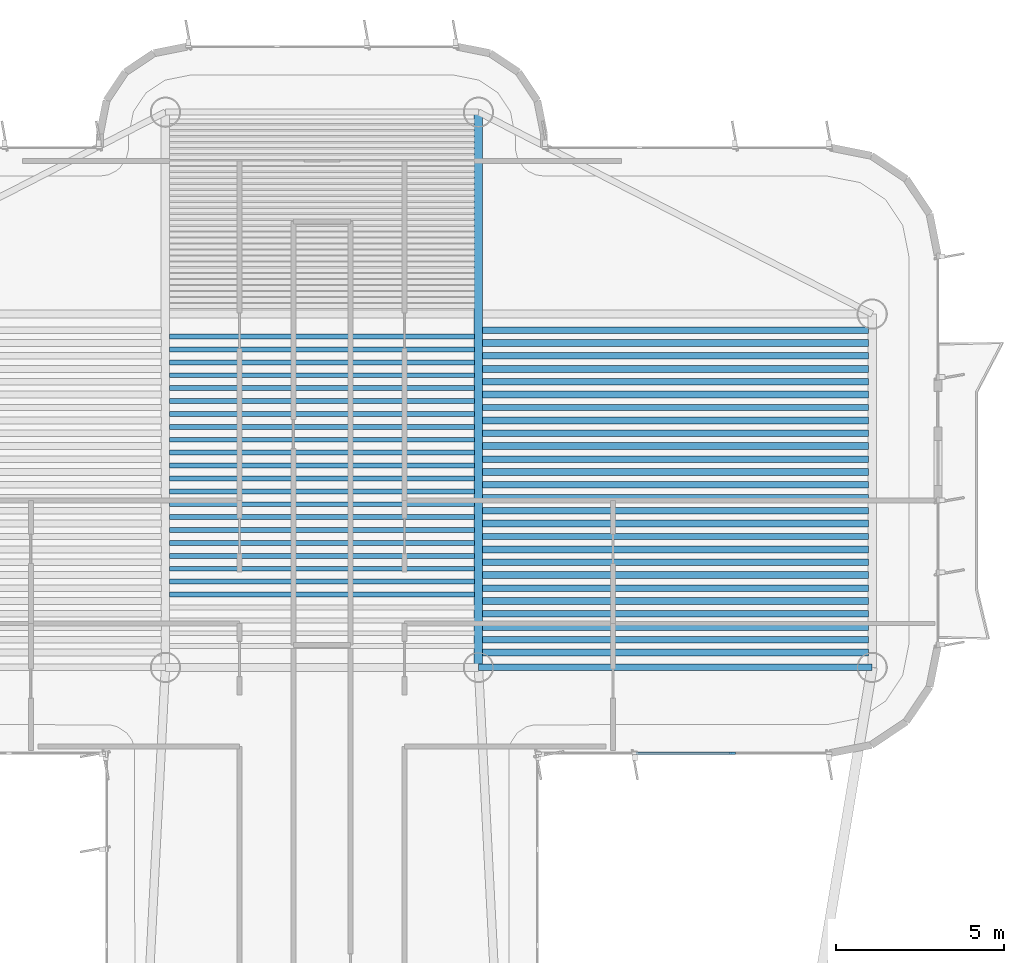
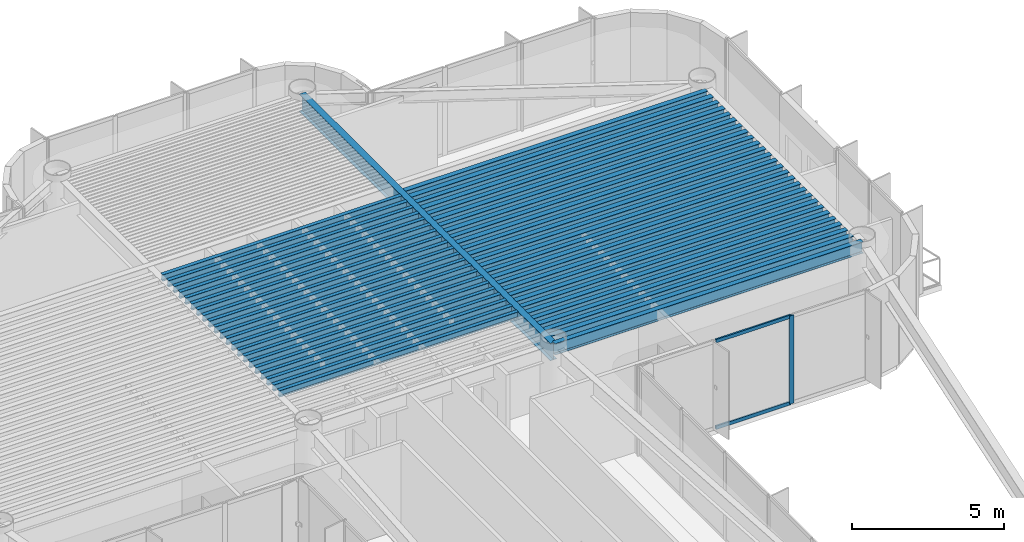
# One storey, part 6 of 15: 49 beams, 3 members, 1 element without a shape of its own.
"""IFC4 building model written with IfcOpenShell, lengths in metres."""

from ifc_helpers import new_model, si_unit, direction, frame, origin, origin_2d, place, context, subcontext, project, spatial, rectangle, i_section, extrude, source, transform, mapped, material, layer, layer_set, material_profile, profile_set, type_object, element, aggregate, save


model = new_model("IFC4")

# Units and contexts
model_context = context("Model", 3, precision=1e-05, world=origin(), true_north=direction((0.0, 1.0)))
body_context = subcontext(model_context, "Body", "Model", "MODEL_VIEW")
ifc_project = project(units=[si_unit("LENGTHUNIT", "METRE"), si_unit("AREAUNIT", "SQUARE_METRE"), si_unit("VOLUMEUNIT", "CUBIC_METRE"), si_unit("PLANEANGLEUNIT", "RADIAN"), si_unit("MASSUNIT", "GRAM", prefix="KILO")], contexts=[model_context])

# Site, building, storey
site_placement = place(None, origin())
site = spatial("IfcSite", under=ifc_project, at=site_placement, CompositionType="ELEMENT")
building_placement = place(site_placement, origin())
building = spatial("IfcBuilding", under=site, at=building_placement, Name="Brelvock Crest Care Tower", CompositionType="ELEMENT")
storey_placement = place(building_placement, frame((0.0, 0.0, 245.699951171875)))
storey = spatial("IfcBuildingStorey", under=building, at=storey_placement, Name="L62", CompositionType="ELEMENT", Elevation=245.699951171875)

# Beams
ifc_material_1 = material(Name="Steel Grade 350", Category="steel")
ifc_material_profile_1 = material_profile(ifc_material_1, i_section(OverallWidth=0.14599609375, OverallDepth=0.256103515625, WebThickness=0.00634765625, FlangeThickness=0.010986328125, FilletRadius=0.0087890625, at=origin_2d()), Name="250UB37.3")
ifc_profile_set_1 = profile_set([ifc_material_profile_1], Name="Steel Grade 350")
beam_type_1 = type_object("IfcBeamType", Name="BM-J3", PredefinedType="JOIST", material=ifc_profile_set_1)
shared_shape_1 = source(origin(), body_context, "Body", "SweptSolid", [
    extrude(i_section(OverallWidth=0.14599609375, OverallDepth=0.256103515625, WebThickness=0.00634765625, FlangeThickness=0.010986328125, FilletRadius=0.0087890625, at=origin_2d()), origin(), (0.0, 0.0, 1.0), 9.06982421875),
])
for number, where, z_axis, x_axis, name in (
    (1, (31.465087890625, 46.115478515625, 3.402099609375), (1.0, 0.0, 0.0), (0.0, 1.0, 0.0), "BM-JH-L62-5"),
    (2, (31.465087890625, 46.498779296875, 3.402099609375), (1.0, 0.0, 0.0), (0.0, 1.0, 0.0), "BM-JH-L62-6"),
    (3, (31.465087890625, 46.882080078125, 3.402099609375), (1.0, 0.0, 0.0), (0.0, 1.0, 0.0), "BM-JH-L62-7"),
    (4, (31.465087890625, 47.265380859375, 3.402099609375), (1.0, 0.0, 0.0), (0.0, 1.0, 0.0), "BM-JH-L62-8"),
    (5, (31.465087890625, 47.648681640625, 3.402099609375), (1.0, 0.0, 0.0), (0.0, 1.0, 0.0), "BM-JH-L62-9"),
    (6, (31.465087890625, 48.031982421875, 3.402099609375), (1.0, 0.0, 0.0), (0.0, 1.0, 0.0), "BM-JH-L62-10"),
    (7, (31.465087890625, 48.4150390625, 3.402099609375), (1.0, 0.0, 0.0), (0.0, 1.0, 0.0), "BM-JH-L62-11"),
    (8, (31.465087890625, 48.79833984375, 3.402099609375), (1.0, 0.0, 0.0), (0.0, 1.0, 0.0), "BM-JH-L62-12"),
    (9, (31.465087890625, 49.181640625, 3.402099609375), (1.0, 0.0, 0.0), (0.0, 1.0, 0.0), "BM-JH-L62-13"),
    (10, (31.465087890625, 49.564697265625, 3.402099609375), (1.0, 0.0, 0.0), (0.0, 1.0, 0.0), "BM-JH-L62-14"),
    (11, (31.465087890625, 49.947998046875, 3.402099609375), (1.0, 0.0, 0.0), (0.0, 1.0, 0.0), "BM-JH-L62-15"),
    (12, (31.465087890625, 50.331298828125, 3.402099609375), (1.0, 0.0, 0.0), (0.0, 1.0, 0.0), "BM-JH-L62-16"),
    (13, (31.465087890625, 50.714599609375, 3.402099609375), (1.0, 0.0, 0.0), (0.0, 1.0, 0.0), "BM-JH-L62-17"),
    (14, (31.465087890625, 51.097900390625, 3.402099609375), (1.0, 0.0, 0.0), (0.0, 1.0, 0.0), "BM-JH-L62-18"),
    (15, (31.465087890625, 51.481201171875, 3.402099609375), (1.0, 0.0, 0.0), (0.0, 1.0, 0.0), "BM-JH-L62-19"),
    (16, (31.465087890625, 51.864501953125, 3.402099609375), (1.0, 0.0, 0.0), (0.0, 1.0, 0.0), "BM-JH-L62-20"),
    (17, (31.465087890625, 52.24755859375, 3.402099609375), (1.0, 0.0, 0.0), (0.0, 1.0, 0.0), "BM-JH-L62-21"),
    (18, (31.465087890625, 52.630859375, 3.402099609375), (1.0, 0.0, 0.0), (0.0, 1.0, 0.0), "BM-JH-L62-22"),
    (19, (31.465087890625, 53.01416015625, 3.402099609375), (1.0, 0.0, 0.0), (0.0, 1.0, 0.0), "BM-JH-L62-23"),
    (20, (31.465087890625, 53.3974609375, 3.402099609375), (1.0, 0.0, 0.0), (0.0, 1.0, 0.0), "BM-JH-L62-24"),
    (21, (31.465087890625, 53.780517578125, 3.402099609375), (1.0, 0.0, 0.0), (0.0, 1.0, 0.0), "BM-JH-L62-25"),
):
    element("IfcBeam", number, at=place(storey_placement, frame(where, z_axis=z_axis, x_axis=x_axis)), inside=storey, type_object=beam_type_1, Name=name, PredefinedType="JOIST", context=body_context, shape_type="MappedRepresentation", body=[
        mapped(shared_shape_1, transform((0.0, 0.0, 0.0), x_axis=(1.0, 0.0, 0.0), y_axis=(0.0, 1.0, 0.0), z_axis=(0.0, 0.0, 1.0), scale=1.0)),
    ])
ifc_material_profile_2 = material_profile(ifc_material_1, i_section(OverallWidth=0.19091796875, OverallDepth=0.4599609375, WebThickness=0.010009765625, FlangeThickness=0.01611328125, FilletRadius=0.011474609375, at=origin_2d()), Name="460UB82.1")
ifc_profile_set_2 = profile_set([ifc_material_profile_2], Name="Steel Grade 350")
beam_type_2 = type_object("IfcBeamType", Name="BM-G3", PredefinedType="BEAM", material=ifc_profile_set_2)
shared_shape_2 = source(origin(), body_context, "Body", "SweptSolid", [
    extrude(i_section(OverallWidth=0.19091796875, OverallDepth=0.4599609375, WebThickness=0.010009765625, FlangeThickness=0.01611328125, FilletRadius=0.011474609375, at=origin_2d()), origin(), (0.0, 0.0, 1.0), 11.47021484375),
])
for number, where, z_axis, x_axis, name in (
    (22, (40.764892578125, 44.7744140625, 3.300048828125), (1.0, 0.0, 0.0), (0.0, 1.0, 0.0), "BM-JE-L62-2"),
    (23, (40.764892578125, 45.540771484375, 3.300048828125), (1.0, 0.0, 0.0), (0.0, 1.0, 0.0), "BM-JE-L62-4"),
    (24, (40.764892578125, 46.307373046875, 3.300048828125), (1.0, 0.0, 0.0), (0.0, 1.0, 0.0), "BM-JE-L62-6"),
    (25, (40.764892578125, 47.07373046875, 3.300048828125), (1.0, 0.0, 0.0), (0.0, 1.0, 0.0), "BM-JE-L62-8"),
    (26, (40.764892578125, 47.84033203125, 3.300048828125), (1.0, 0.0, 0.0), (0.0, 1.0, 0.0), "BM-JE-L62-10"),
    (27, (40.764892578125, 48.606689453125, 3.300048828125), (1.0, 0.0, 0.0), (0.0, 1.0, 0.0), "BM-JE-L62-12"),
    (28, (40.764892578125, 49.373291015625, 3.300048828125), (1.0, 0.0, 0.0), (0.0, 1.0, 0.0), "BM-JE-L62-14"),
    (29, (40.764892578125, 50.139892578125, 3.300048828125), (1.0, 0.0, 0.0), (0.0, 1.0, 0.0), "BM-JE-L62-16"),
    (30, (40.764892578125, 50.90625, 3.300048828125), (1.0, 0.0, 0.0), (0.0, 1.0, 0.0), "BM-JE-L62-18"),
    (31, (40.764892578125, 51.6728515625, 3.300048828125), (1.0, 0.0, 0.0), (0.0, 1.0, 0.0), "BM-JE-L62-20"),
    (32, (40.764892578125, 52.439208984375, 3.300048828125), (1.0, 0.0, 0.0), (0.0, 1.0, 0.0), "BM-JE-L62-22"),
    (33, (40.764892578125, 53.205810546875, 3.300048828125), (1.0, 0.0, 0.0), (0.0, 1.0, 0.0), "BM-JE-L62-24"),
    (34, (40.764892578125, 53.972412109375, 3.300048828125), (1.0, 0.0, 0.0), (0.0, 1.0, 0.0), "BM-JE-L62-26"),
):
    element("IfcBeam", number, at=place(storey_placement, frame(where, z_axis=z_axis, x_axis=x_axis)), inside=storey, type_object=beam_type_2, Name=name, PredefinedType="BEAM", context=body_context, shape_type="MappedRepresentation", body=[
        mapped(shared_shape_2, transform((0.0, 0.0, 0.0), x_axis=(1.0, 0.0, 0.0), y_axis=(0.0, 1.0, 0.0), z_axis=(0.0, 0.0, 1.0), scale=1.0)),
    ])
ifc_material_profile_3 = material_profile(ifc_material_1, i_section(OverallWidth=0.208984375, OverallDepth=0.532958984375, WebThickness=0.01025390625, FlangeThickness=0.015625, FilletRadius=0.013916015625, at=origin_2d()), Name="530UB92.4")
ifc_profile_set_3 = profile_set([ifc_material_profile_3], Name="Steel Grade 350")
beam_type_3 = type_object("IfcBeamType", Name="BM-G2", PredefinedType="BEAM", material=ifc_profile_set_3)
shared_shape_3 = source(origin(), body_context, "Body", "SweptSolid", [
    extrude(i_section(OverallWidth=0.208984375, OverallDepth=0.532958984375, WebThickness=0.01025390625, FlangeThickness=0.015625, FilletRadius=0.013916015625, at=origin_2d()), origin(), (0.0, 0.0, 1.0), 11.47021484375),
])
for number, where, z_axis, x_axis, name in (
    (35, (40.764892578125, 44.39111328125, 3.263427734375), (1.0, 0.0, 0.0), (0.0, 1.0, 0.0), "BM-JE-L62-1"),
    (36, (40.764892578125, 45.157470703125, 3.263427734375), (1.0, 0.0, 0.0), (0.0, 1.0, 0.0), "BM-JE-L62-3"),
    (37, (40.764892578125, 45.924072265625, 3.263427734375), (1.0, 0.0, 0.0), (0.0, 1.0, 0.0), "BM-JE-L62-5"),
    (38, (40.764892578125, 46.6904296875, 3.263427734375), (1.0, 0.0, 0.0), (0.0, 1.0, 0.0), "BM-JE-L62-7"),
    (39, (40.764892578125, 47.45703125, 3.263427734375), (1.0, 0.0, 0.0), (0.0, 1.0, 0.0), "BM-JE-L62-9"),
    (40, (40.764892578125, 48.223388671875, 3.263427734375), (1.0, 0.0, 0.0), (0.0, 1.0, 0.0), "BM-JE-L62-11"),
    (41, (40.764892578125, 48.989990234375, 3.263427734375), (1.0, 0.0, 0.0), (0.0, 1.0, 0.0), "BM-JE-L62-13"),
    (42, (40.764892578125, 49.756591796875, 3.263427734375), (1.0, 0.0, 0.0), (0.0, 1.0, 0.0), "BM-JE-L62-15"),
    (43, (40.764892578125, 50.52294921875, 3.263427734375), (1.0, 0.0, 0.0), (0.0, 1.0, 0.0), "BM-JE-L62-17"),
    (44, (40.764892578125, 51.28955078125, 3.263427734375), (1.0, 0.0, 0.0), (0.0, 1.0, 0.0), "BM-JE-L62-19"),
    (45, (40.764892578125, 52.055908203125, 3.263427734375), (1.0, 0.0, 0.0), (0.0, 1.0, 0.0), "BM-JE-L62-21"),
    (46, (40.764892578125, 52.822509765625, 3.263427734375), (1.0, 0.0, 0.0), (0.0, 1.0, 0.0), "BM-JE-L62-23"),
    (47, (40.764892578125, 53.589111328125, 3.263427734375), (1.0, 0.0, 0.0), (0.0, 1.0, 0.0), "BM-JE-L62-25"),
):
    element("IfcBeam", number, at=place(storey_placement, frame(where, z_axis=z_axis, x_axis=x_axis)), inside=storey, type_object=beam_type_3, Name=name, PredefinedType="BEAM", context=body_context, shape_type="MappedRepresentation", body=[
        mapped(shared_shape_3, transform((0.0, 0.0, 0.0), x_axis=(1.0, 0.0, 0.0), y_axis=(0.0, 1.0, 0.0), z_axis=(0.0, 0.0, 1.0), scale=1.0)),
    ])
ifc_material_profile_4 = material_profile(ifc_material_1, i_section(OverallWidth=0.19091796875, OverallDepth=0.4599609375, WebThickness=0.010009765625, FlangeThickness=0.01611328125, FilletRadius=0.011474609375, at=origin_2d()), Name="460UB82.1")
ifc_profile_set_4 = profile_set([ifc_material_profile_4], Name="Steel Grade 350")
beam_type_4 = type_object("IfcBeamType", Name="BM-SP2", PredefinedType="SPANDREL", material=ifc_profile_set_4)
shared_shape_4 = source(origin(), body_context, "Body", "SweptSolid", [
    extrude(i_section(OverallWidth=0.19091796875, OverallDepth=0.4599609375, WebThickness=0.010009765625, FlangeThickness=0.01611328125, FilletRadius=0.011474609375, at=origin_2d()), origin(), (0.0, 0.0, 1.0), 11.7001953125),
])
beam_1_placement = place(storey_placement, frame((40.64990234375, 43.949951171875, 3.300048828125), z_axis=(1.0, 0.0, 0.0), x_axis=(0.0, 1.0, 0.0)))
element("IfcBeam", 48, at=beam_1_placement, inside=storey, type_object=beam_type_4, Name="BM-TWR-L62-04", PredefinedType="SPANDREL", context=body_context, shape_type="MappedRepresentation", body=[
    mapped(shared_shape_4, transform((0.0, 0.0, 0.0), x_axis=(1.0, 0.0, 0.0), y_axis=(0.0, 1.0, 0.0), z_axis=(0.0, 0.0, 1.0), scale=1.0)),
])
ifc_material_profile_5 = material_profile(ifc_material_1, i_section(OverallWidth=0.25, OverallDepth=0.699951171875, WebThickness=0.011962890625, FlangeThickness=0.02001953125, at=origin_2d()), Name="700WB150")
ifc_profile_set_5 = profile_set([ifc_material_profile_5], Name="Steel Grade 350")
beam_type_5 = type_object("IfcBeamType", Name="BM-G4", PredefinedType="BEAM", material=ifc_profile_set_5)
shared_shape_5 = source(origin(), body_context, "Body", "SweptSolid", [
    extrude(i_section(OverallWidth=0.25, OverallDepth=0.699951171875, WebThickness=0.011962890625, FlangeThickness=0.02001953125, at=origin_2d()), origin(), (0.0, 0.0, 1.0), 16.5),
])
beam_2_placement = place(storey_placement, frame((40.64990234375, 43.949951171875, 3.179931640625), z_axis=(0.0, 1.0, 0.0), x_axis=(-1.0, 0.0, 0.0)))
element("IfcBeam", 49, at=beam_2_placement, inside=storey, type_object=beam_type_5, Name="BM-TWR-L62-10", PredefinedType="BEAM", context=body_context, shape_type="MappedRepresentation", body=[
    mapped(shared_shape_5, transform((0.0, 0.0, 0.0), x_axis=(1.0, 0.0, 0.0), y_axis=(0.0, 1.0, 0.0), z_axis=(0.0, 0.0, 1.0), scale=1.0)),
])

# Curtain wall, members
ifc_material_2 = material(Name="Dark Glass Double Glazed Low-E", Category="glass")
ifc_layer = layer(ifc_material_2, 0.239990234375, Name="CWS-5")
ifc_layer_set = layer_set([ifc_layer], Name="Dark Glass Double Glazed Low-E")
curtain_wall_type = type_object("IfcCurtainWallType", Name="CWS-5", PredefinedType="NOTDEFINED", material=ifc_layer_set)
curtain_wall_placement = place(storey_placement, origin())
curtain_wall = element("IfcCurtainWall", 50, at=curtain_wall_placement, inside=storey, type_object=curtain_wall_type, Name="L62 Curtain Wall E44", PredefinedType="NOTDEFINED")
ifc_material_3 = material(Name="Aluminium 6063-T6", Category="aluminium")
ifc_material_profile_6 = material_profile(ifc_material_3, rectangle(XDim=0.06005859375, YDim=0.179931640625, at=origin_2d()), Name="ALU60x180")
ifc_profile_set_6 = profile_set([ifc_material_profile_6], Name="Aluminium 6063-T6")
member_type_1 = type_object("IfcMemberType", Name="CWM-2", PredefinedType="MULLION", material=ifc_profile_set_6)
shared_shape_6 = source(origin(), body_context, "Body", "SweptSolid", [
    extrude(rectangle(XDim=0.06005859375, YDim=0.179931640625, at=origin_2d()), origin(), (0.0, 0.0, 1.0), 3.530029296875),
])
member_1_placement = place(storey_placement, frame((48.199951171875, 41.39990234375, 0.0), z_axis=(0.0, 0.0, 1.0), x_axis=(0.0, -1.0, 0.0)))
member_1 = element("IfcMember", 51, at=member_1_placement, type_object=member_type_1, Name="CW-5 mullion 2", PredefinedType="MULLION", context=body_context, shape_type="MappedRepresentation", body=[
    mapped(shared_shape_6, transform((0.0, 0.0, 0.0), x_axis=(1.0, 0.0, 0.0), y_axis=(0.0, 1.0, 0.0), z_axis=(0.0, 0.0, 1.0), scale=1.0)),
])
ifc_material_profile_7 = material_profile(ifc_material_3, rectangle(XDim=0.06005859375, YDim=0.139892578125, at=origin_2d()), Name="ALU60x140")
ifc_profile_set_7 = profile_set([ifc_material_profile_7], Name="Aluminium 6063-T6")
member_type_2 = type_object("IfcMemberType", Name="CWT-2", PredefinedType="USERDEFINED", material=ifc_profile_set_7)
shared_shape_7 = source(origin(), body_context, "Body", "SweptSolid", [
    extrude(rectangle(XDim=0.06005859375, YDim=0.139892578125, at=origin_2d()), origin(), (0.0, 0.0, 1.0), 2.83984375),
])
member_2_placement = place(storey_placement, frame((48.169921875, 41.39990234375, 0.030029296875), z_axis=(-1.0, 0.0, 0.0), x_axis=(0.0, -1.0, 0.0)))
member_2 = element("IfcMember", 52, at=member_2_placement, type_object=member_type_2, Name="CW-5 transom 2.1", ObjectType="TRANSOM", PredefinedType="USERDEFINED", context=body_context, shape_type="MappedRepresentation", body=[
    mapped(shared_shape_7, transform((0.0, 0.0, 0.0), x_axis=(1.0, 0.0, 0.0), y_axis=(0.0, 1.0, 0.0), z_axis=(0.0, 0.0, 1.0), scale=1.0)),
])
member_3_placement = place(storey_placement, frame((48.169921875, 41.39990234375, 3.5), z_axis=(-1.0, 0.0, 0.0), x_axis=(0.0, -1.0, 0.0)))
member_3 = element("IfcMember", 53, at=member_3_placement, type_object=member_type_2, Name="CW-5 transom 2.2", ObjectType="TRANSOM", PredefinedType="USERDEFINED", context=body_context, shape_type="MappedRepresentation", body=[
    mapped(shared_shape_7, transform((0.0, 0.0, 0.0), x_axis=(1.0, 0.0, 0.0), y_axis=(0.0, 1.0, 0.0), z_axis=(0.0, 0.0, 1.0), scale=1.0)),
])
aggregate(curtain_wall, [member_1, member_2, member_3])

save(model, "model.ifc")
